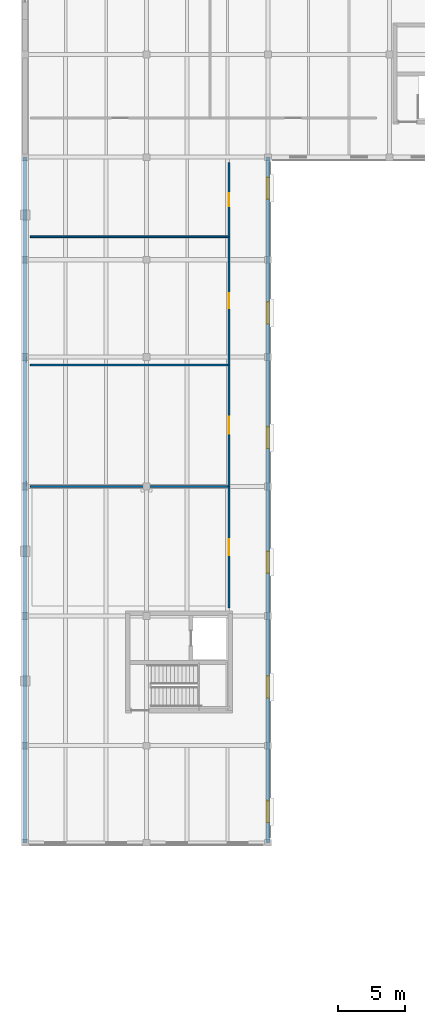
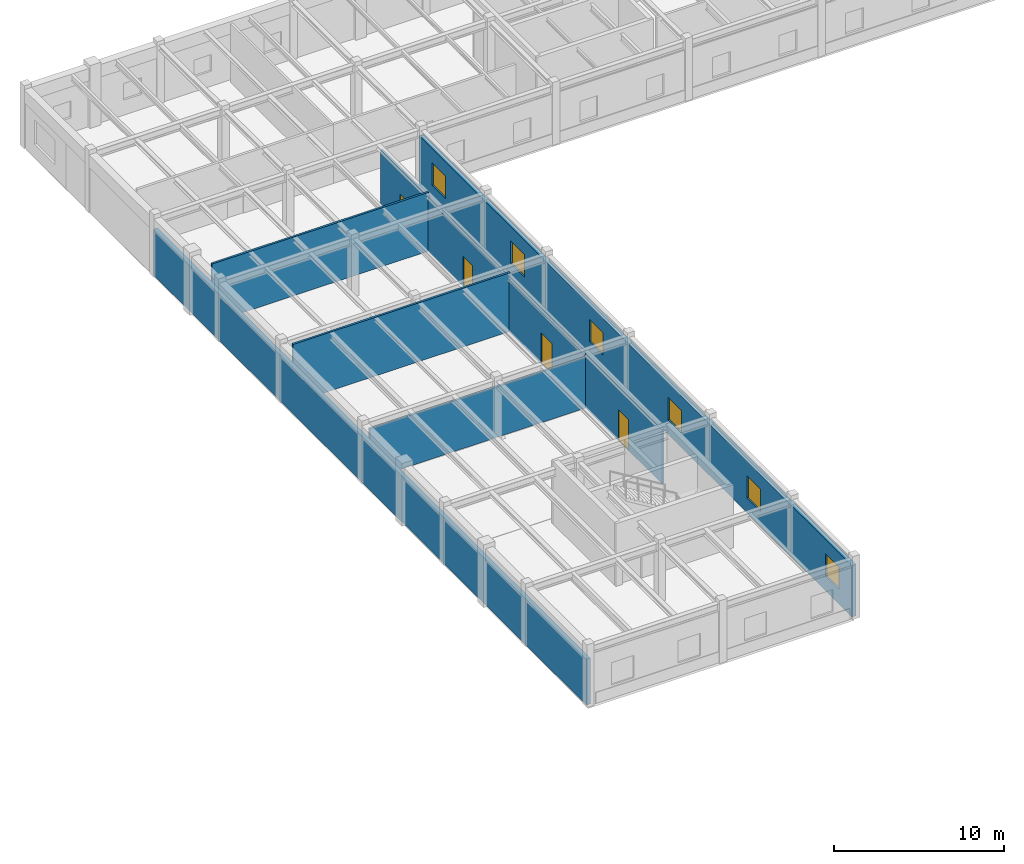
# One storey, part 46 of 64: 9 walls, 6 windows, 4 doors, 10 openings.
"""IFC4 building model written with IfcOpenShell, lengths in metres."""

from ifc_helpers import new_model, si_unit, direction, frame, frame_2d, origin, place, context, subcontext, project, spatial, rectangle, extrude, material, layer, layer_set, type_object, element, fill, save


model = new_model("IFC4")

# Units and contexts
model_context = context("Model", 3, precision=1e-05, world=origin(), true_north=direction((0.0, 1.0)))
body_context = subcontext(model_context, "Body", "Model", "MODEL_VIEW")
ifc_project = project(units=[si_unit("LENGTHUNIT", "METRE"), si_unit("AREAUNIT", "SQUARE_METRE"), si_unit("VOLUMEUNIT", "CUBIC_METRE"), si_unit("PLANEANGLEUNIT", "RADIAN"), si_unit("MASSUNIT", "GRAM", prefix="KILO")], contexts=[model_context])

# Site, building, storey
site_placement = place(None, origin())
site = spatial("IfcSite", under=ifc_project, at=site_placement, CompositionType="ELEMENT")
building_placement = place(site_placement, origin())
building = spatial("IfcBuilding", under=site, at=building_placement, Name="Montealbar Specialist Clinic", CompositionType="ELEMENT")
storey_placement = place(building_placement, frame((0.0, 0.0, 5.10009765625)))
storey = spatial("IfcBuildingStorey", under=building, at=storey_placement, Name="L01", CompositionType="ELEMENT", Elevation=5.10009765625)

# Wall
ifc_material_1 = material(Name="Precast concrete C40/50", Category="concrete")
ifc_layer_1 = layer(ifc_material_1, 0.280029296875, Name="Precast concrete C40/50", Category="concrete")
ifc_layer_set_1 = layer_set([ifc_layer_1], Name="Precast concrete C40/50")
wall_type_1 = type_object("IfcWallType", Name="WL-EXT-PRECAST-280", PredefinedType="SOLIDWALL", material=ifc_layer_set_1)
wall_1_placement = place(storey_placement, frame((0.0, 45.0, 0.0), z_axis=(0.0, 0.0, 1.0), x_axis=(0.0, 1.0, 0.0)))
element("IfcWall", 1, at=wall_1_placement, inside=storey, type_object=wall_type_1, Name="Exterior Facade Wall EW-L01-022", PredefinedType="SOLIDWALL", context=body_context, shape_type="SweptSolid", body=[
    extrude(rectangle(XDim=50.800048828125, YDim=0.280029296875, at=frame_2d((25.39990234375, 0.0))), origin(), (0.0, 0.0, 1.0), 3.27978515625),
])

# Wall, openings, windows
wall_2_placement = place(storey_placement, frame((18.0, 95.800048828125, 0.0), z_axis=(0.0, 0.0, 1.0), x_axis=(0.0, -1.0, 0.0)))
wall_2 = element("IfcWall", 2, at=wall_2_placement, inside=storey, type_object=wall_type_1, Name="Exterior Facade Wall EW-L01-033", PredefinedType="SOLIDWALL", context=body_context, shape_type="SweptSolid", body=[
    extrude(rectangle(XDim=50.800048828125, YDim=0.280029296875, at=frame_2d((25.39990234375, 0.0))), origin(), (0.0, 0.0, 1.0), 3.679931640625),
])
opening_1_placement = place(wall_2_placement, frame((1.509033203125, 0.0, 1.0400390625)))
opening_1 = element("IfcOpeningElement", 3, at=opening_1_placement, cuts=wall_2, Name="Opening WN-19", PredefinedType="OPENING", context=body_context, shape_type="SweptSolid", body=[
    extrude(rectangle(XDim=1.60009765625, YDim=1.60009765625, at=frame_2d((0.800048828125, 0.800048828125))), frame((0.0, 0.14990234375, 0.0), z_axis=(0.0, -1.0, 0.0), x_axis=(1.0, 0.0, 0.0)), (0.0, 0.0, 1.0), 0.300048828125),
])
opening_2_placement = place(wall_2_placement, frame((10.7451171875, 0.0, 1.0400390625)))
opening_2 = element("IfcOpeningElement", 4, at=opening_2_placement, cuts=wall_2, Name="Opening WN-19", PredefinedType="OPENING", context=body_context, shape_type="SweptSolid", body=[
    extrude(rectangle(XDim=1.60009765625, YDim=1.60009765625, at=frame_2d((0.800048828125, 0.800048828125))), frame((0.0, 0.14990234375, 0.0), z_axis=(0.0, -1.0, 0.0), x_axis=(1.0, 0.0, 0.0)), (0.0, 0.0, 1.0), 0.300048828125),
])
opening_3_placement = place(wall_2_placement, frame((19.98193359375, 0.0, 1.0400390625)))
opening_3 = element("IfcOpeningElement", 5, at=opening_3_placement, cuts=wall_2, Name="Opening WN-19", PredefinedType="OPENING", context=body_context, shape_type="SweptSolid", body=[
    extrude(rectangle(XDim=1.60009765625, YDim=1.60009765625, at=frame_2d((0.800048828125, 0.800048828125))), frame((0.0, 0.14990234375, 0.0), z_axis=(0.0, -1.0, 0.0), x_axis=(1.0, 0.0, 0.0)), (0.0, 0.0, 1.0), 0.300048828125),
])
opening_4_placement = place(wall_2_placement, frame((29.218017578125, 0.0, 1.0400390625)))
opening_4 = element("IfcOpeningElement", 6, at=opening_4_placement, cuts=wall_2, Name="Opening WN-19", PredefinedType="OPENING", context=body_context, shape_type="SweptSolid", body=[
    extrude(rectangle(XDim=1.60009765625, YDim=1.60009765625, at=frame_2d((0.800048828125, 0.800048828125))), frame((0.0, 0.14990234375, 0.0), z_axis=(0.0, -1.0, 0.0), x_axis=(1.0, 0.0, 0.0)), (0.0, 0.0, 1.0), 0.300048828125),
])
opening_5_placement = place(wall_2_placement, frame((38.455078125, 0.0, 1.0400390625)))
opening_5 = element("IfcOpeningElement", 7, at=opening_5_placement, cuts=wall_2, Name="Opening WN-19", PredefinedType="OPENING", context=body_context, shape_type="SweptSolid", body=[
    extrude(rectangle(XDim=1.60009765625, YDim=1.60009765625, at=frame_2d((0.800048828125, 0.800048828125))), frame((0.0, 0.14990234375, 0.0), z_axis=(0.0, -1.0, 0.0), x_axis=(1.0, 0.0, 0.0)), (0.0, 0.0, 1.0), 0.300048828125),
])
opening_6_placement = place(wall_2_placement, frame((47.69091796875, 0.0, 1.0400390625)))
opening_6 = element("IfcOpeningElement", 8, at=opening_6_placement, cuts=wall_2, Name="Opening WN-19", PredefinedType="OPENING", context=body_context, shape_type="SweptSolid", body=[
    extrude(rectangle(XDim=1.60009765625, YDim=1.60009765625, at=frame_2d((0.800048828125, 0.800048828125))), frame((0.0, 0.14990234375, 0.0), z_axis=(0.0, -1.0, 0.0), x_axis=(1.0, 0.0, 0.0)), (0.0, 0.0, 1.0), 0.300048828125),
])
ifc_material_2 = material(Name="Low-E double glazing", Category="glass")
window_type = type_object("IfcWindowType", Name="WIN-WN-19", PartitioningType="SINGLE_PANEL", PredefinedType="WINDOW", material=ifc_material_2)
window_1_placement = place(opening_1_placement, origin())
window_1 = element("IfcWindow", 9, at=window_1_placement, inside=storey, type_object=window_type, Name="Clinical Facade Postmodern Oculus Window WN-19 L01-0124", OverallHeight=1.60009765625, OverallWidth=1.60009765625, PartitioningType="SINGLE_PANEL", PredefinedType="WINDOW", context=body_context, shape_type="SweptSolid", body=[
    extrude(rectangle(XDim=1.60009765625, YDim=1.60009765625, at=frame_2d((0.800048828125, 0.800048828125))), frame((0.0, 0.030029296875, 0.0), z_axis=(0.0, -1.0, 0.0), x_axis=(1.0, 0.0, 0.0)), (0.0, 0.0, 1.0), 0.06005859375),
])
fill(opening_1, window_1)
window_2_placement = place(opening_2_placement, origin())
window_2 = element("IfcWindow", 10, at=window_2_placement, inside=storey, type_object=window_type, Name="Clinical Facade Postmodern Oculus Window WN-19 L01-0125", OverallHeight=1.60009765625, OverallWidth=1.60009765625, PartitioningType="SINGLE_PANEL", PredefinedType="WINDOW", context=body_context, shape_type="SweptSolid", body=[
    extrude(rectangle(XDim=1.60009765625, YDim=1.60009765625, at=frame_2d((0.800048828125, 0.800048828125))), frame((0.0, 0.030029296875, 0.0), z_axis=(0.0, -1.0, 0.0), x_axis=(1.0, 0.0, 0.0)), (0.0, 0.0, 1.0), 0.06005859375),
])
fill(opening_2, window_2)
window_3_placement = place(opening_3_placement, origin())
window_3 = element("IfcWindow", 11, at=window_3_placement, inside=storey, type_object=window_type, Name="Clinical Facade Postmodern Oculus Window WN-19 L01-0126", OverallHeight=1.60009765625, OverallWidth=1.60009765625, PartitioningType="SINGLE_PANEL", PredefinedType="WINDOW", context=body_context, shape_type="SweptSolid", body=[
    extrude(rectangle(XDim=1.60009765625, YDim=1.60009765625, at=frame_2d((0.800048828125, 0.800048828125))), frame((0.0, 0.030029296875, 0.0), z_axis=(0.0, -1.0, 0.0), x_axis=(1.0, 0.0, 0.0)), (0.0, 0.0, 1.0), 0.06005859375),
])
fill(opening_3, window_3)
window_4_placement = place(opening_4_placement, origin())
window_4 = element("IfcWindow", 12, at=window_4_placement, inside=storey, type_object=window_type, Name="Clinical Facade Postmodern Oculus Window WN-19 L01-0127", OverallHeight=1.60009765625, OverallWidth=1.60009765625, PartitioningType="SINGLE_PANEL", PredefinedType="WINDOW", context=body_context, shape_type="SweptSolid", body=[
    extrude(rectangle(XDim=1.60009765625, YDim=1.60009765625, at=frame_2d((0.800048828125, 0.800048828125))), frame((0.0, 0.030029296875, 0.0), z_axis=(0.0, -1.0, 0.0), x_axis=(1.0, 0.0, 0.0)), (0.0, 0.0, 1.0), 0.06005859375),
])
fill(opening_4, window_4)
window_5_placement = place(opening_5_placement, origin())
window_5 = element("IfcWindow", 13, at=window_5_placement, inside=storey, type_object=window_type, Name="Clinical Facade Postmodern Oculus Window WN-19 L01-0128", OverallHeight=1.60009765625, OverallWidth=1.60009765625, PartitioningType="SINGLE_PANEL", PredefinedType="WINDOW", context=body_context, shape_type="SweptSolid", body=[
    extrude(rectangle(XDim=1.60009765625, YDim=1.60009765625, at=frame_2d((0.800048828125, 0.800048828125))), frame((0.0, 0.030029296875, 0.0), z_axis=(0.0, -1.0, 0.0), x_axis=(1.0, 0.0, 0.0)), (0.0, 0.0, 1.0), 0.06005859375),
])
fill(opening_5, window_5)
window_6_placement = place(opening_6_placement, origin())
window_6 = element("IfcWindow", 14, at=window_6_placement, inside=storey, type_object=window_type, Name="Clinical Facade Postmodern Oculus Window WN-19 L01-0129", OverallHeight=1.60009765625, OverallWidth=1.60009765625, PartitioningType="SINGLE_PANEL", PredefinedType="WINDOW", context=body_context, shape_type="SweptSolid", body=[
    extrude(rectangle(XDim=1.60009765625, YDim=1.60009765625, at=frame_2d((0.800048828125, 0.800048828125))), frame((0.0, 0.030029296875, 0.0), z_axis=(0.0, -1.0, 0.0), x_axis=(1.0, 0.0, 0.0)), (0.0, 0.0, 1.0), 0.06005859375),
])
fill(opening_6, window_6)

# Walls
ifc_material_3 = material(Name="Gypsum acoustic partition", Category="gypsum")
ifc_layer_2 = layer(ifc_material_3, 0.139892578125, Name="Gypsum acoustic partition", Category="gypsum")
ifc_layer_set_2 = layer_set([ifc_layer_2], Name="Gypsum acoustic partition")
wall_type_2 = type_object("IfcWallType", Name="WL-PART-ACOUSTIC-140", PredefinedType="PARTITIONING", material=ifc_layer_set_2)
wall_3_placement = place(storey_placement, frame((0.39990234375, 71.39990234375, 0.0), z_axis=(0.0, 0.0, 1.0), x_axis=(1.0, 0.0, 0.0)))
element("IfcWall", 15, at=wall_3_placement, inside=storey, type_object=wall_type_2, Name="Clinical Partition PART-L01-0072", PredefinedType="PARTITIONING", context=body_context, shape_type="SweptSolid", body=[
    extrude(rectangle(XDim=14.7001953125, YDim=0.139892578125, at=frame_2d((7.35009765625, 0.0))), origin(), (0.0, 0.0, 1.0), 3.6298828125),
])
for number, where, z_axis, x_axis, name in (
    (16, (0.39990234375, 80.39990234375, 0.0), (0.0, 0.0, 1.0), (1.0, 0.0, 0.0), "Clinical Partition PART-L01-0074"),
    (17, (0.39990234375, 89.89990234375, 0.0), (0.0, 0.0, 1.0), (1.0, 0.0, 0.0), "Clinical Partition PART-L01-0076"),
):
    element("IfcWall", number, at=place(storey_placement, frame(where, z_axis=z_axis, x_axis=x_axis)), inside=storey, type_object=wall_type_2, Name=name, PredefinedType="PARTITIONING", context=body_context, shape_type="SweptSolid", body=[
        extrude(rectangle(XDim=14.7001953125, YDim=0.139892578125, at=frame_2d((7.35009765625, 0.0))), origin(), (0.0, 0.0, 1.0), 4.2099609375),
    ])

# Wall, opening, door
ifc_layer_3 = layer(ifc_material_3, 0.159912109375, Name="Gypsum acoustic partition", Category="gypsum")
ifc_layer_set_3 = layer_set([ifc_layer_3], Name="Gypsum acoustic partition")
wall_type_3 = type_object("IfcWallType", Name="WL-PART-CLINIC-160", PredefinedType="PARTITIONING", material=ifc_layer_set_3)
wall_4_placement = place(storey_placement, frame((15.10009765625, 62.39990234375, 0.0), z_axis=(0.0, 0.0, 1.0), x_axis=(0.0, 1.0, 0.0)))
wall_4 = element("IfcWall", 18, at=wall_4_placement, inside=storey, type_object=wall_type_3, Name="Clinical Partition PART-L01-0071", PredefinedType="PARTITIONING", context=body_context, shape_type="SweptSolid", body=[
    extrude(rectangle(XDim=9.0, YDim=0.159912109375, at=frame_2d((4.5, 0.0))), origin(), (0.0, 0.0, 1.0), 3.85986328125),
])
opening_7_placement = place(wall_4_placement, frame((3.89990234375, 0.0, 0.0)))
opening_7 = element("IfcOpeningElement", 19, at=opening_7_placement, cuts=wall_4, Name="Opening ID-120", PredefinedType="OPENING", context=body_context, shape_type="SweptSolid", body=[
    extrude(rectangle(XDim=1.199951171875, YDim=2.199951171875, at=frame_2d((0.60009765625, 1.10009765625))), frame((0.0, 0.08984375, 0.0), z_axis=(0.0, -1.0, 0.0), x_axis=(1.0, 0.0, 0.0)), (0.0, 0.0, 1.0), 0.179931640625),
])
ifc_material_4 = material(Name="Acoustic timber leaf", Category="wood")
door_type_1 = type_object("IfcDoorType", Name="DR-CLIN-W1200", OperationType="NOTDEFINED", PredefinedType="DOOR", material=ifc_material_4)
door_1_placement = place(opening_7_placement, frame((1.199951171875, 0.0, 0.0), z_axis=(0.0, 0.0, 1.0), x_axis=(-1.0, 0.0, 0.0)))
door_1 = element("IfcDoor", 20, at=door_1_placement, inside=storey, type_object=door_type_1, Name="Clinical Room Door IDR-L01-0049", OperationType="SINGLE_SWING_LEFT", OverallHeight=2.199951171875, OverallWidth=1.199951171875, PredefinedType="DOOR", context=body_context, shape_type="SweptSolid", body=[
    extrude(rectangle(XDim=1.199951171875, YDim=2.199951171875, at=frame_2d((0.60009765625, 1.10009765625))), frame((0.0, 0.02490234375, 0.0), z_axis=(0.0, -1.0, 0.0), x_axis=(1.0, 0.0, 0.0)), (0.0, 0.0, 1.0), 0.050048828125),
])
fill(opening_7, door_1)

wall_5_placement = place(storey_placement, frame((15.10009765625, 71.39990234375, 0.0), z_axis=(0.0, 0.0, 1.0), x_axis=(0.0, 1.0, 0.0)))
wall_5 = element("IfcWall", 21, at=wall_5_placement, inside=storey, type_object=wall_type_3, Name="Clinical Partition PART-L01-0073", PredefinedType="PARTITIONING", context=body_context, shape_type="SweptSolid", body=[
    extrude(rectangle(XDim=9.0, YDim=0.159912109375, at=frame_2d((4.5, 0.0))), origin(), (0.0, 0.0, 1.0), 3.72998046875),
])
opening_8_placement = place(wall_5_placement, frame((3.89990234375, 0.0, 0.0)))
opening_8 = element("IfcOpeningElement", 22, at=opening_8_placement, cuts=wall_5, Name="Opening ID-12L", PredefinedType="OPENING", context=body_context, shape_type="SweptSolid", body=[
    extrude(rectangle(XDim=1.25, YDim=2.199951171875, at=frame_2d((0.625, 1.10009765625))), frame((0.0, 0.08984375, 0.0), z_axis=(0.0, -1.0, 0.0), x_axis=(1.0, 0.0, 0.0)), (0.0, 0.0, 1.0), 0.179931640625),
])
door_type_2 = type_object("IfcDoorType", Name="DR-LEAD-W1200", OperationType="NOTDEFINED", PredefinedType="DOOR", material=ifc_material_4)
door_2_placement = place(opening_8_placement, frame((1.25, 0.0, 0.0), z_axis=(0.0, 0.0, 1.0), x_axis=(-1.0, 0.0, 0.0)))
door_2 = element("IfcDoor", 23, at=door_2_placement, inside=storey, type_object=door_type_2, Name="Clinical Room Door IDR-L01-0050", OperationType="SINGLE_SWING_RIGHT", OverallHeight=2.199951171875, OverallWidth=1.25, PredefinedType="DOOR", context=body_context, shape_type="SweptSolid", body=[
    extrude(rectangle(XDim=1.25, YDim=2.199951171875, at=frame_2d((0.625, 1.10009765625))), frame((0.0, 0.02490234375, 0.0), z_axis=(0.0, -1.0, 0.0), x_axis=(1.0, 0.0, 0.0)), (0.0, 0.0, 1.0), 0.050048828125),
])
fill(opening_8, door_2)

wall_6_placement = place(storey_placement, frame((15.10009765625, 80.39990234375, 0.0), z_axis=(0.0, 0.0, 1.0), x_axis=(0.0, 1.0, 0.0)))
wall_6 = element("IfcWall", 24, at=wall_6_placement, inside=storey, type_object=wall_type_3, Name="Clinical Partition PART-L01-0075", PredefinedType="PARTITIONING", context=body_context, shape_type="SweptSolid", body=[
    extrude(rectangle(XDim=9.5, YDim=0.159912109375, at=frame_2d((4.75, 0.0))), origin(), (0.0, 0.0, 1.0), 3.72998046875),
])
opening_9_placement = place(wall_6_placement, frame((4.199951171875, 0.0, 0.0)))
opening_9 = element("IfcOpeningElement", 25, at=opening_9_placement, cuts=wall_6, Name="Opening ID-110", PredefinedType="OPENING", context=body_context, shape_type="SweptSolid", body=[
    extrude(rectangle(XDim=1.10009765625, YDim=2.14990234375, at=frame_2d((0.550048828125, 1.074951171875))), frame((0.0, 0.08984375, 0.0), z_axis=(0.0, -1.0, 0.0), x_axis=(1.0, 0.0, 0.0)), (0.0, 0.0, 1.0), 0.179931640625),
])
door_type_3 = type_object("IfcDoorType", Name="DR-CLIN-W1100", OperationType="NOTDEFINED", PredefinedType="DOOR", material=ifc_material_4)
door_3_placement = place(opening_9_placement, frame((1.10009765625, 0.0, 0.0), z_axis=(0.0, 0.0, 1.0), x_axis=(-1.0, 0.0, 0.0)))
door_3 = element("IfcDoor", 26, at=door_3_placement, inside=storey, type_object=door_type_3, Name="Clinical Room Door IDR-L01-0051", OperationType="SINGLE_SWING_LEFT", OverallHeight=2.14990234375, OverallWidth=1.10009765625, PredefinedType="DOOR", context=body_context, shape_type="SweptSolid", body=[
    extrude(rectangle(XDim=1.10009765625, YDim=2.14990234375, at=frame_2d((0.550048828125, 1.074951171875))), frame((0.0, 0.02490234375, 0.0), z_axis=(0.0, -1.0, 0.0), x_axis=(1.0, 0.0, 0.0)), (0.0, 0.0, 1.0), 0.050048828125),
])
fill(opening_9, door_3)

wall_7_placement = place(storey_placement, frame((15.10009765625, 89.89990234375, 0.0), z_axis=(0.0, 0.0, 1.0), x_axis=(0.0, 1.0, 0.0)))
wall_7 = element("IfcWall", 27, at=wall_7_placement, inside=storey, type_object=wall_type_3, Name="Clinical Partition PART-L01-0077", PredefinedType="PARTITIONING", context=body_context, shape_type="SweptSolid", body=[
    extrude(rectangle(XDim=5.5, YDim=0.159912109375, at=frame_2d((2.75, 0.0))), origin(), (0.0, 0.0, 1.0), 3.889892578125),
])
opening_10_placement = place(wall_7_placement, frame((2.27490234375, 0.0, 0.0)))
opening_10 = element("IfcOpeningElement", 28, at=opening_10_placement, cuts=wall_7, Name="Opening ID-095", PredefinedType="OPENING", context=body_context, shape_type="SweptSolid", body=[
    extrude(rectangle(XDim=0.949951171875, YDim=2.10009765625, at=frame_2d((0.47509765625, 1.050048828125))), frame((0.0, 0.08984375, 0.0), z_axis=(0.0, -1.0, 0.0), x_axis=(1.0, 0.0, 0.0)), (0.0, 0.0, 1.0), 0.179931640625),
])
door_type_4 = type_object("IfcDoorType", Name="DR-WC-W0950", OperationType="NOTDEFINED", PredefinedType="DOOR", material=ifc_material_4)
door_4_placement = place(opening_10_placement, frame((0.949951171875, 0.0, 0.0), z_axis=(0.0, 0.0, 1.0), x_axis=(-1.0, 0.0, 0.0)))
door_4 = element("IfcDoor", 29, at=door_4_placement, inside=storey, type_object=door_type_4, Name="Clinical Room Door IDR-L01-0052", OperationType="SINGLE_SWING_RIGHT", OverallHeight=2.10009765625, OverallWidth=0.949951171875, PredefinedType="DOOR", context=body_context, shape_type="SweptSolid", body=[
    extrude(rectangle(XDim=0.949951171875, YDim=2.10009765625, at=frame_2d((0.47509765625, 1.050048828125))), frame((0.0, 0.02490234375, 0.0), z_axis=(0.0, -1.0, 0.0), x_axis=(1.0, 0.0, 0.0)), (0.0, 0.0, 1.0), 0.050048828125),
])
fill(opening_10, door_4)

save(model, "model.ifc")
